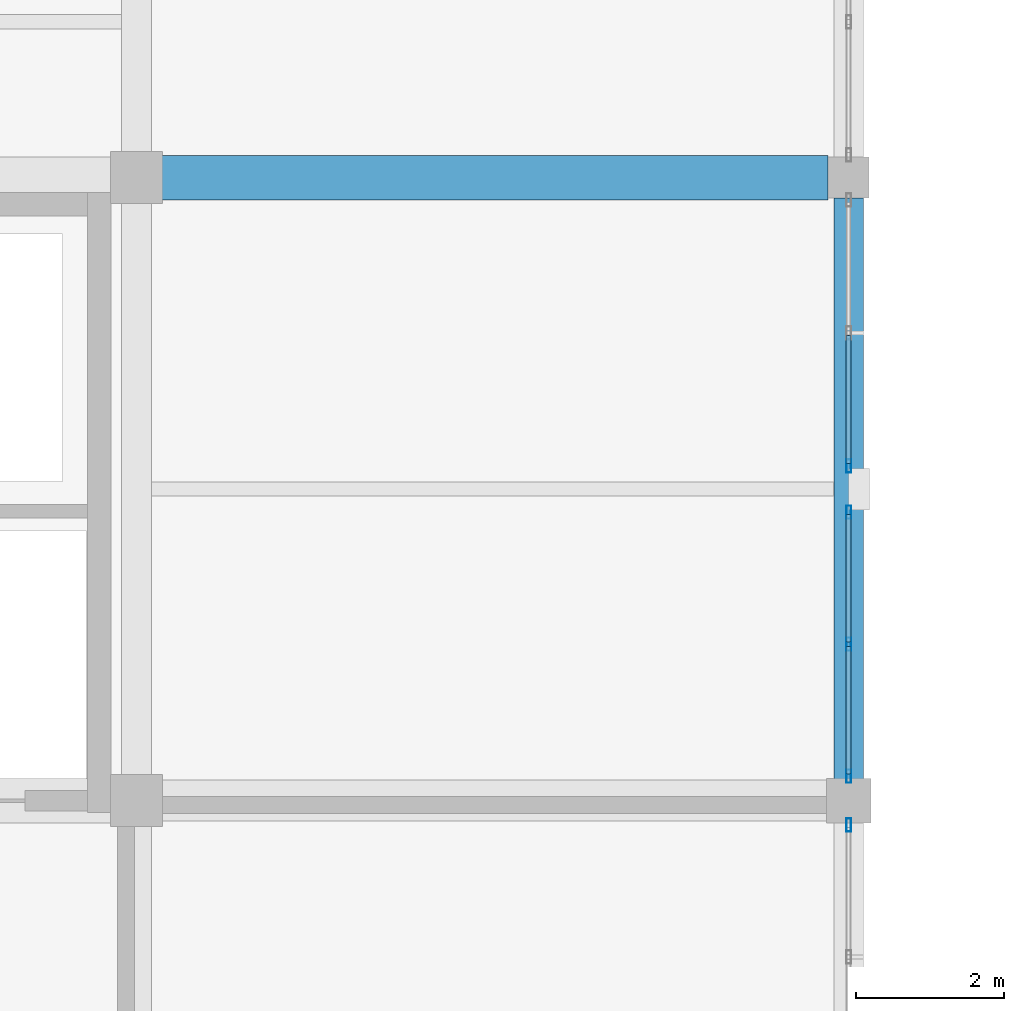
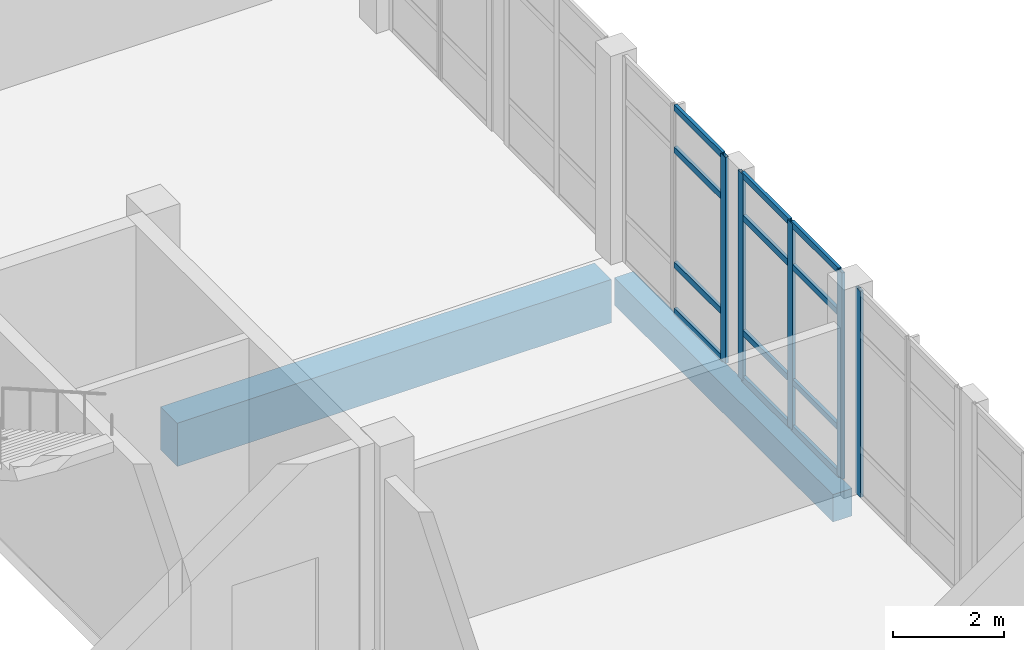
# One storey, part 64 of 102: 17 members, 2 beams, 3 elements without a shape of their own.
"""IFC4 building model written with IfcOpenShell, lengths in metres."""

from ifc_helpers import new_model, si_unit, direction, frame, origin, origin_2d, place, context, subcontext, project, spatial, rectangle, hollow_rectangle, extrude, material, layer, layer_set, material_profile, profile_set, type_object, element, aggregate, save


model = new_model("IFC4")

# Units and contexts
model_context = context("Model", 3, precision=1e-05, world=origin(), true_north=direction((0.0, 1.0)))
body_context = subcontext(model_context, "Body", "Model", "MODEL_VIEW")
ifc_project = project(units=[si_unit("LENGTHUNIT", "METRE"), si_unit("AREAUNIT", "SQUARE_METRE"), si_unit("VOLUMEUNIT", "CUBIC_METRE"), si_unit("PLANEANGLEUNIT", "RADIAN"), si_unit("MASSUNIT", "GRAM", prefix="KILO")], contexts=[model_context])

# Site, building, storey
site_placement = place(None, origin())
site = spatial("IfcSite", under=ifc_project, at=site_placement, CompositionType="ELEMENT")
building_placement = place(site_placement, origin())
building = spatial("IfcBuilding", under=site, at=building_placement, Name="Lornevale Opera House", CompositionType="ELEMENT")
storey_placement = place(building_placement, frame((0.0, 0.0, 5.39990234375)))
storey = spatial("IfcBuildingStorey", under=building, at=storey_placement, Name="L02", CompositionType="ELEMENT", Elevation=5.39990234375)

# Beams
ifc_material_1 = material(Name="Concrete 35 MPa (CSA A23.1 N)", Category="concrete")
ifc_material_profile_1 = material_profile(ifc_material_1, rectangle(XDim=0.60009765625, YDim=0.949951171875, at=origin_2d()), Name="RC600x950")
ifc_profile_set_1 = profile_set([ifc_material_profile_1], Name="Concrete 35 MPa (CSA A23.1 N)")
beam_type_1 = type_object("IfcBeamType", Name="Concrete Primary Girder 600x950", PredefinedType="USERDEFINED", material=ifc_profile_set_1)
beam_1_placement = place(storey_placement, frame((144.324951171875, 42.0, -0.77490234375), z_axis=(1.0, 0.0, 0.0), x_axis=(0.0, 1.0, 0.0)))
element("IfcBeam", 1, at=beam_1_placement, inside=storey, type_object=beam_type_1, Name="Concrete Primary Girder 600x950 1734", ObjectType="GIRDER", PredefinedType="USERDEFINED", context=body_context, shape_type="SweptSolid", body=[
    extrude(rectangle(XDim=0.60009765625, YDim=0.949951171875, at=origin_2d()), origin(), (0.0, 0.0, 1.0), 9.0),
])
ifc_material_profile_2 = material_profile(ifc_material_1, rectangle(XDim=0.39990234375, YDim=0.60009765625, at=origin_2d()), Name="RC400x600")
ifc_profile_set_2 = profile_set([ifc_material_profile_2], Name="Concrete 35 MPa (CSA A23.1 N)")
beam_type_2 = type_object("IfcBeamType", Name="Concrete Spandrel Beam 400x600", PredefinedType="SPANDREL", material=ifc_profile_set_2)
beam_2_placement = place(storey_placement, frame((153.60009765625, 33.875, -0.599853515625), z_axis=(0.0, 1.0, 0.0), x_axis=(-1.0, 0.0, 0.0)))
element("IfcBeam", 2, at=beam_2_placement, inside=storey, type_object=beam_type_2, Name="Concrete Spandrel Beam 400x600 1972", PredefinedType="SPANDREL", context=body_context, shape_type="SweptSolid", body=[
    extrude(rectangle(XDim=0.39990234375, YDim=0.60009765625, at=origin_2d()), origin(), (0.0, 0.0, 1.0), 7.85009765625),
])

# Curtain wall, member
ifc_material_2 = material(Name="Anodized Oxide-Green Aluminium Framing", Category="aluminium")
ifc_layer = layer(ifc_material_2, 0.179931640625)
ifc_layer_set = layer_set([ifc_layer], Name="Anodized Oxide-Green Aluminium Framing")
curtain_wall_type = type_object("IfcCurtainWallType", Name="Promenade Gallery Curtain Wall M1800", PredefinedType="NOTDEFINED", material=ifc_layer_set)
curtain_wall_1_placement = place(storey_placement, origin())
curtain_wall_1 = element("IfcCurtainWall", 3, at=curtain_wall_1_placement, inside=storey, type_object=curtain_wall_type, Name="Promenade Gallery Curtain Wall M1800 CW-080", PredefinedType="NOTDEFINED")
ifc_material_profile_3 = material_profile(ifc_material_2, hollow_rectangle(XDim=0.06494140625, YDim=0.179931640625, WallThickness=0.0048828125, at=origin_2d()), Name="ALU65x180x5")
ifc_profile_set_3 = profile_set([ifc_material_profile_3], Name="Anodized Oxide-Green Aluminium Framing")
member_type_1 = type_object("IfcMemberType", Name="Curtain Wall Mullion 65x180", PredefinedType="MULLION", material=ifc_profile_set_3)
member_1_placement = place(storey_placement, frame((153.60009765625, 33.271484375, 0.0), z_axis=(0.0, 0.0, 1.0), x_axis=(1.0, 0.0, 0.0)))
member_1 = element("IfcMember", 4, at=member_1_placement, type_object=member_type_1, Name="Curtain Wall Mullion 65x180 CW1616", PredefinedType="MULLION", context=body_context, shape_type="SweptSolid", body=[
    extrude(hollow_rectangle(XDim=0.06494140625, YDim=0.179931640625, WallThickness=0.0048828125, at=origin_2d()), origin(), (0.0, 0.0, 1.0), 4.52001953125),
])
aggregate(curtain_wall_1, [member_1])

curtain_wall_2_placement = place(storey_placement, origin())
curtain_wall_2 = element("IfcCurtainWall", 5, at=curtain_wall_2_placement, inside=storey, type_object=curtain_wall_type, Name="Promenade Gallery Curtain Wall M1800 CW-082", PredefinedType="NOTDEFINED")
member_2_placement = place(storey_placement, frame((153.60009765625, 38.112548828125, 0.0), z_axis=(0.0, 0.0, 1.0), x_axis=(1.0, 0.0, 0.0)))
member_2 = element("IfcMember", 6, at=member_2_placement, type_object=member_type_1, Name="Curtain Wall Mullion 65x180 CW1652", PredefinedType="MULLION", context=body_context, shape_type="SweptSolid", body=[
    extrude(hollow_rectangle(XDim=0.06494140625, YDim=0.179931640625, WallThickness=0.0048828125, at=origin_2d()), origin(), (0.0, 0.0, 1.0), 4.52001953125),
])

# Curtain wall, members
curtain_wall_3_placement = place(storey_placement, origin())
curtain_wall_3 = element("IfcCurtainWall", 7, at=curtain_wall_3_placement, inside=storey, type_object=curtain_wall_type, Name="Promenade Gallery Curtain Wall M1800 CW-083", PredefinedType="NOTDEFINED")
member_3_placement = place(storey_placement, frame((153.60009765625, 37.487548828125, 0.0), z_axis=(0.0, 0.0, 1.0), x_axis=(1.0, 0.0, 0.0)))
member_3 = element("IfcMember", 8, at=member_3_placement, type_object=member_type_1, Name="Curtain Wall Mullion 65x180 CW1667", PredefinedType="MULLION", context=body_context, shape_type="SweptSolid", body=[
    extrude(hollow_rectangle(XDim=0.06494140625, YDim=0.179931640625, WallThickness=0.0048828125, at=origin_2d()), origin(), (0.0, 0.0, 1.0), 4.52001953125),
])
member_4_placement = place(storey_placement, frame((153.60009765625, 35.7080078125, 0.0), z_axis=(0.0, 0.0, 1.0), x_axis=(1.0, 0.0, 0.0)))
member_4 = element("IfcMember", 9, at=member_4_placement, type_object=member_type_1, Name="Curtain Wall Mullion 65x180 CW1668", PredefinedType="MULLION", context=body_context, shape_type="SweptSolid", body=[
    extrude(hollow_rectangle(XDim=0.06494140625, YDim=0.179931640625, WallThickness=0.0048828125, at=origin_2d()), origin(), (0.0, 0.0, 1.0), 4.52001953125),
])
member_5_placement = place(storey_placement, frame((153.60009765625, 33.928466796875, 0.0), z_axis=(0.0, 0.0, 1.0), x_axis=(1.0, 0.0, 0.0)))
member_5 = element("IfcMember", 10, at=member_5_placement, type_object=member_type_1, Name="Curtain Wall Mullion 65x180 CW1669", PredefinedType="MULLION", context=body_context, shape_type="SweptSolid", body=[
    extrude(hollow_rectangle(XDim=0.06494140625, YDim=0.179931640625, WallThickness=0.0048828125, at=origin_2d()), origin(), (0.0, 0.0, 1.0), 4.52001953125),
])

# Member
ifc_material_profile_4 = material_profile(ifc_material_2, hollow_rectangle(XDim=0.06494140625, YDim=0.135009765625, WallThickness=0.00390625, at=origin_2d()), Name="ALU65x135x4")
ifc_profile_set_4 = profile_set([ifc_material_profile_4], Name="Anodized Oxide-Green Aluminium Framing")
member_type_2 = type_object("IfcMemberType", Name="Curtain Wall Transom 65x135", PredefinedType="USERDEFINED", material=ifc_profile_set_4)
member_6_placement = place(storey_placement, frame((153.60009765625, 39.8720703125, 0.03271484375), z_axis=(0.0, -1.0, 0.0), x_axis=(1.0, 0.0, 0.0)))
member_6 = element("IfcMember", 11, at=member_6_placement, type_object=member_type_2, Name="Curtain Wall Transom 65x135 CW1660", ObjectType="TRANSOM", PredefinedType="USERDEFINED", context=body_context, shape_type="SweptSolid", body=[
    extrude(hollow_rectangle(XDim=0.06494140625, YDim=0.135009765625, WallThickness=0.00390625, at=origin_2d()), origin(), (0.0, 0.0, 1.0), 1.72705078125),
])

member_7_placement = place(storey_placement, frame((153.60009765625, 39.8720703125, 1.050048828125), z_axis=(0.0, -1.0, 0.0), x_axis=(1.0, 0.0, 0.0)))
member_7 = element("IfcMember", 12, at=member_7_placement, type_object=member_type_2, Name="Curtain Wall Transom 65x135 CW1661", ObjectType="TRANSOM", PredefinedType="USERDEFINED", context=body_context, shape_type="SweptSolid", body=[
    extrude(hollow_rectangle(XDim=0.06494140625, YDim=0.135009765625, WallThickness=0.00390625, at=origin_2d()), origin(), (0.0, 0.0, 1.0), 1.72705078125),
])

member_8_placement = place(storey_placement, frame((153.60009765625, 39.8720703125, 3.570068359375), z_axis=(0.0, -1.0, 0.0), x_axis=(1.0, 0.0, 0.0)))
member_8 = element("IfcMember", 13, at=member_8_placement, type_object=member_type_2, Name="Curtain Wall Transom 65x135 CW1662", ObjectType="TRANSOM", PredefinedType="USERDEFINED", context=body_context, shape_type="SweptSolid", body=[
    extrude(hollow_rectangle(XDim=0.06494140625, YDim=0.135009765625, WallThickness=0.00390625, at=origin_2d()), origin(), (0.0, 0.0, 1.0), 1.72705078125),
])

member_9_placement = place(storey_placement, frame((153.60009765625, 39.8720703125, 4.487548828125), z_axis=(0.0, -1.0, 0.0), x_axis=(1.0, 0.0, 0.0)))
member_9 = element("IfcMember", 14, at=member_9_placement, type_object=member_type_2, Name="Curtain Wall Transom 65x135 CW1663", ObjectType="TRANSOM", PredefinedType="USERDEFINED", context=body_context, shape_type="SweptSolid", body=[
    extrude(hollow_rectangle(XDim=0.06494140625, YDim=0.135009765625, WallThickness=0.00390625, at=origin_2d()), origin(), (0.0, 0.0, 1.0), 1.72705078125),
])

aggregate(curtain_wall_2, [member_2, member_6, member_7, member_8, member_9])

member_10_placement = place(storey_placement, frame((153.60009765625, 37.455078125, 0.03271484375), z_axis=(0.0, -1.0, 0.0), x_axis=(1.0, 0.0, 0.0)))
member_10 = element("IfcMember", 15, at=member_10_placement, type_object=member_type_2, Name="Curtain Wall Transom 65x135 CW1670", ObjectType="TRANSOM", PredefinedType="USERDEFINED", context=body_context, shape_type="SweptSolid", body=[
    extrude(hollow_rectangle(XDim=0.06494140625, YDim=0.135009765625, WallThickness=0.00390625, at=origin_2d()), origin(), (0.0, 0.0, 1.0), 1.714599609375),
])

member_11_placement = place(storey_placement, frame((153.60009765625, 37.455078125, 1.050048828125), z_axis=(0.0, -1.0, 0.0), x_axis=(1.0, 0.0, 0.0)))
member_11 = element("IfcMember", 16, at=member_11_placement, type_object=member_type_2, Name="Curtain Wall Transom 65x135 CW1671", ObjectType="TRANSOM", PredefinedType="USERDEFINED", context=body_context, shape_type="SweptSolid", body=[
    extrude(hollow_rectangle(XDim=0.06494140625, YDim=0.135009765625, WallThickness=0.00390625, at=origin_2d()), origin(), (0.0, 0.0, 1.0), 1.714599609375),
])

member_12_placement = place(storey_placement, frame((153.60009765625, 37.455078125, 3.570068359375), z_axis=(0.0, -1.0, 0.0), x_axis=(1.0, 0.0, 0.0)))
member_12 = element("IfcMember", 17, at=member_12_placement, type_object=member_type_2, Name="Curtain Wall Transom 65x135 CW1672", ObjectType="TRANSOM", PredefinedType="USERDEFINED", context=body_context, shape_type="SweptSolid", body=[
    extrude(hollow_rectangle(XDim=0.06494140625, YDim=0.135009765625, WallThickness=0.00390625, at=origin_2d()), origin(), (0.0, 0.0, 1.0), 1.714599609375),
])

member_13_placement = place(storey_placement, frame((153.60009765625, 37.455078125, 4.487548828125), z_axis=(0.0, -1.0, 0.0), x_axis=(1.0, 0.0, 0.0)))
member_13 = element("IfcMember", 18, at=member_13_placement, type_object=member_type_2, Name="Curtain Wall Transom 65x135 CW1673", ObjectType="TRANSOM", PredefinedType="USERDEFINED", context=body_context, shape_type="SweptSolid", body=[
    extrude(hollow_rectangle(XDim=0.06494140625, YDim=0.135009765625, WallThickness=0.00390625, at=origin_2d()), origin(), (0.0, 0.0, 1.0), 1.714599609375),
])

member_14_placement = place(storey_placement, frame((153.60009765625, 35.675537109375, 0.03271484375), z_axis=(0.0, -1.0, 0.0), x_axis=(1.0, 0.0, 0.0)))
member_14 = element("IfcMember", 19, at=member_14_placement, type_object=member_type_2, Name="Curtain Wall Transom 65x135 CW1677", ObjectType="TRANSOM", PredefinedType="USERDEFINED", context=body_context, shape_type="SweptSolid", body=[
    extrude(hollow_rectangle(XDim=0.06494140625, YDim=0.135009765625, WallThickness=0.00390625, at=origin_2d()), origin(), (0.0, 0.0, 1.0), 1.714599609375),
])

member_15_placement = place(storey_placement, frame((153.60009765625, 35.675537109375, 1.050048828125), z_axis=(0.0, -1.0, 0.0), x_axis=(1.0, 0.0, 0.0)))
member_15 = element("IfcMember", 20, at=member_15_placement, type_object=member_type_2, Name="Curtain Wall Transom 65x135 CW1678", ObjectType="TRANSOM", PredefinedType="USERDEFINED", context=body_context, shape_type="SweptSolid", body=[
    extrude(hollow_rectangle(XDim=0.06494140625, YDim=0.135009765625, WallThickness=0.00390625, at=origin_2d()), origin(), (0.0, 0.0, 1.0), 1.714599609375),
])

member_16_placement = place(storey_placement, frame((153.60009765625, 35.675537109375, 3.570068359375), z_axis=(0.0, -1.0, 0.0), x_axis=(1.0, 0.0, 0.0)))
member_16 = element("IfcMember", 21, at=member_16_placement, type_object=member_type_2, Name="Curtain Wall Transom 65x135 CW1679", ObjectType="TRANSOM", PredefinedType="USERDEFINED", context=body_context, shape_type="SweptSolid", body=[
    extrude(hollow_rectangle(XDim=0.06494140625, YDim=0.135009765625, WallThickness=0.00390625, at=origin_2d()), origin(), (0.0, 0.0, 1.0), 1.714599609375),
])

member_17_placement = place(storey_placement, frame((153.60009765625, 35.675537109375, 4.487548828125), z_axis=(0.0, -1.0, 0.0), x_axis=(1.0, 0.0, 0.0)))
member_17 = element("IfcMember", 22, at=member_17_placement, type_object=member_type_2, Name="Curtain Wall Transom 65x135 CW1680", ObjectType="TRANSOM", PredefinedType="USERDEFINED", context=body_context, shape_type="SweptSolid", body=[
    extrude(hollow_rectangle(XDim=0.06494140625, YDim=0.135009765625, WallThickness=0.00390625, at=origin_2d()), origin(), (0.0, 0.0, 1.0), 1.714599609375),
])

aggregate(curtain_wall_3, [member_3, member_4, member_5, member_10, member_11, member_12, member_13, member_14, member_15, member_16, member_17])

save(model, "model.ifc")
